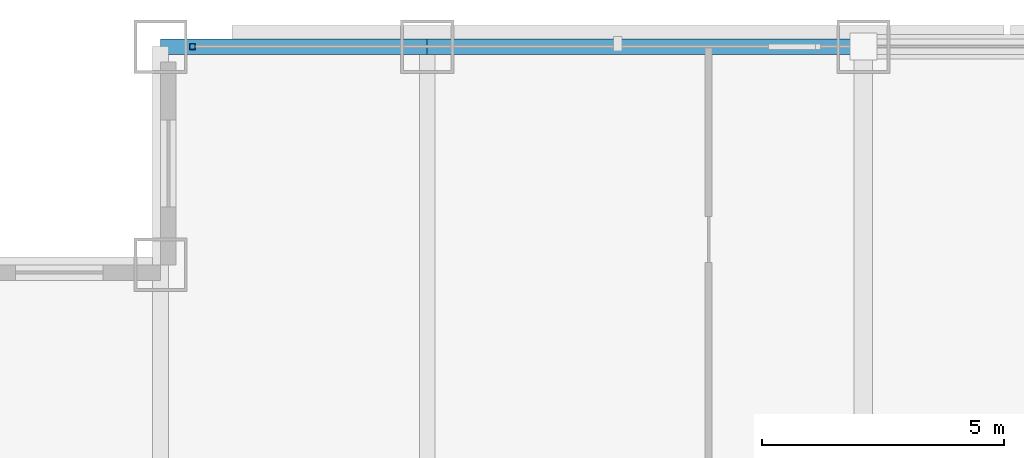
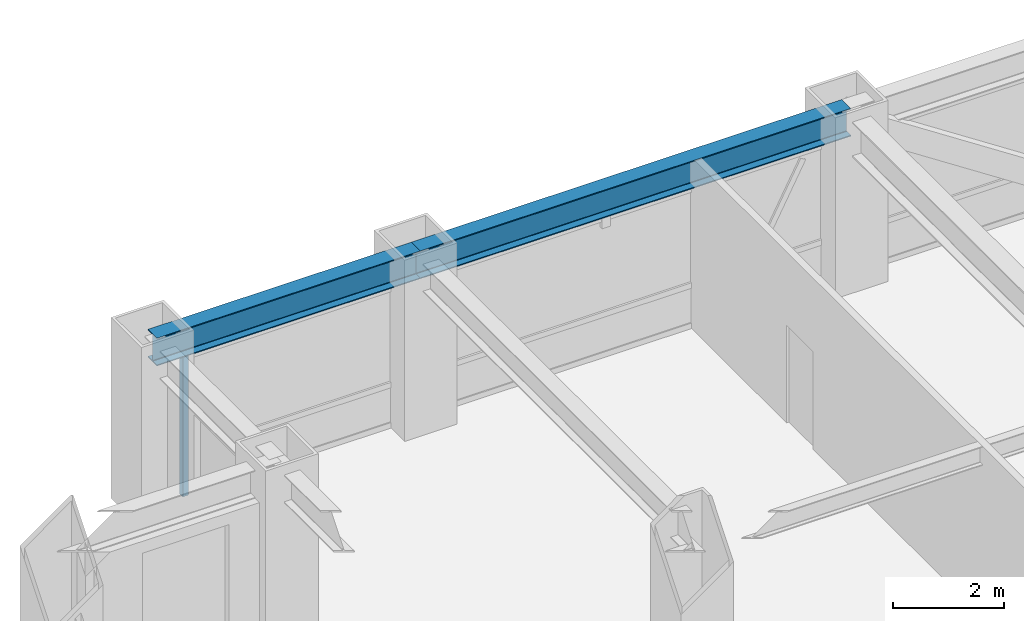
# One storey, part 14 of 28: 2 beams, 1 member, 1 element without a shape of its own.
"""IFC4 building model written with IfcOpenShell, lengths in metres."""

from ifc_helpers import new_model, si_unit, direction, frame, origin, origin_2d, place, context, subcontext, project, spatial, hollow_rectangle, i_section, extrude, source, transform, mapped, material, material_profile, profile_set, type_object, element, aggregate, save


model = new_model("IFC4")

# Units and contexts
model_context = context("Model", 3, precision=1e-05, world=origin(), true_north=direction((0.0, 1.0)))
body_context = subcontext(model_context, "Body", "Model", "MODEL_VIEW")
ifc_project = project(units=[si_unit("LENGTHUNIT", "METRE"), si_unit("AREAUNIT", "SQUARE_METRE"), si_unit("VOLUMEUNIT", "CUBIC_METRE"), si_unit("PLANEANGLEUNIT", "RADIAN"), si_unit("MASSUNIT", "GRAM", prefix="KILO")], contexts=[model_context])

# Site, building, storey
site_placement = place(None, origin())
site = spatial("IfcSite", under=ifc_project, at=site_placement, CompositionType="ELEMENT")
building_placement = place(site_placement, origin())
building = spatial("IfcBuilding", under=site, at=building_placement, Name="Khorayat Bourse Tower", CompositionType="ELEMENT")
storey_placement = place(building_placement, frame((0.0, 0.0, 183.10009765625)))
storey = spatial("IfcBuildingStorey", under=building, at=storey_placement, Name="L42", CompositionType="ELEMENT", Elevation=183.10009765625)

# Beams
ifc_material_1 = material(Name="Steel ASTM A992 Grade 50", Category="steel")
ifc_material_profile_1 = material_profile(ifc_material_1, i_section(OverallWidth=0.324951171875, OverallDepth=0.615966796875, WebThickness=0.013916015625, FlangeThickness=0.021484375, FilletRadius=0.01611328125, at=origin_2d()), Name="W610X174")
ifc_profile_set_1 = profile_set([ifc_material_profile_1], Name="Steel ASTM A992 Grade 50")
beam_type = type_object("IfcBeamType", Name="BM-SPAN-610", PredefinedType="SPANDREL", material=ifc_profile_set_1)
shared_shape_1 = source(origin(), body_context, "Body", "SweptSolid", [
    extrude(i_section(OverallWidth=0.324951171875, OverallDepth=0.615966796875, WebThickness=0.013916015625, FlangeThickness=0.021484375, FilletRadius=0.01611328125, at=origin_2d()), origin(), (0.0, 0.0, 1.0), 5.5),
])
beam_1_placement = place(storey_placement, frame((-25.5, 30.0, 3.471923828125), z_axis=(1.0, 0.0, 0.0), x_axis=(0.0, 1.0, 0.0)))
element("IfcBeam", 1, at=beam_1_placement, inside=storey, type_object=beam_type, Name="L42 BM-SPAN-610 BM-L42-SPN-051", PredefinedType="SPANDREL", context=body_context, shape_type="MappedRepresentation", body=[
    mapped(shared_shape_1, transform((0.0, 0.0, 0.0), scale=1.0)),
])
shared_shape_2 = source(origin(), body_context, "Body", "SweptSolid", [
    extrude(i_section(OverallWidth=0.324951171875, OverallDepth=0.615966796875, WebThickness=0.013916015625, FlangeThickness=0.021484375, FilletRadius=0.01611328125, at=origin_2d()), origin(), (0.0, 0.0, 1.0), 9.0),
])
beam_2_placement = place(storey_placement, frame((-20.0, 30.0, 3.471923828125), z_axis=(1.0, 0.0, 0.0), x_axis=(0.0, 1.0, 0.0)))
element("IfcBeam", 2, at=beam_2_placement, inside=storey, type_object=beam_type, Name="L42 BM-SPAN-610 BM-L42-SPN-050", PredefinedType="SPANDREL", context=body_context, shape_type="MappedRepresentation", body=[
    mapped(shared_shape_2, transform((0.0, 0.0, 0.0), scale=1.0)),
])

# Curtain wall, member
ifc_material_2 = material(Name="Aluminium EN AW-6063 T6", Category="aluminium")
curtain_wall_type = type_object("IfcCurtainWallType", Name="CW-SYS-03", PredefinedType="NOTDEFINED", material=ifc_material_2)
curtain_wall_placement = place(storey_placement, origin())
curtain_wall = element("IfcCurtainWall", 3, at=curtain_wall_placement, inside=storey, type_object=curtain_wall_type, Name="L42 Curtain Wall CW-L42-N1", PredefinedType="NOTDEFINED")
ifc_material_profile_2 = material_profile(ifc_material_2, hollow_rectangle(XDim=0.1201171875, YDim=0.1201171875, WallThickness=0.0048828125, at=origin_2d()), Name="ALU 120x120x5")
ifc_profile_set_2 = profile_set([ifc_material_profile_2], Name="Aluminium EN AW-6063 T6")
member_type = type_object("IfcMemberType", Name="CWM-VERT-120", PredefinedType="MULLION", material=ifc_profile_set_2)
shared_shape_3 = source(origin(), body_context, "Body", "SweptSolid", [
    extrude(hollow_rectangle(XDim=0.1201171875, YDim=0.1201171875, WallThickness=0.0048828125, at=origin_2d()), origin(), (0.0, 0.0, 1.0), 3.1298828125),
])
member_placement = place(storey_placement, frame((-24.840087890625, 30.0, 0.0), z_axis=(0.0, 0.0, 1.0), x_axis=(0.0, 1.0, 0.0)))
member = element("IfcMember", 4, at=member_placement, type_object=member_type, Name="CW-L42-N1 Vertical Mullion 1", PredefinedType="MULLION", context=body_context, shape_type="MappedRepresentation", body=[
    mapped(shared_shape_3, transform((0.0, 0.0, 0.0), scale=1.0)),
])
aggregate(curtain_wall, [member])

save(model, "model.ifc")
